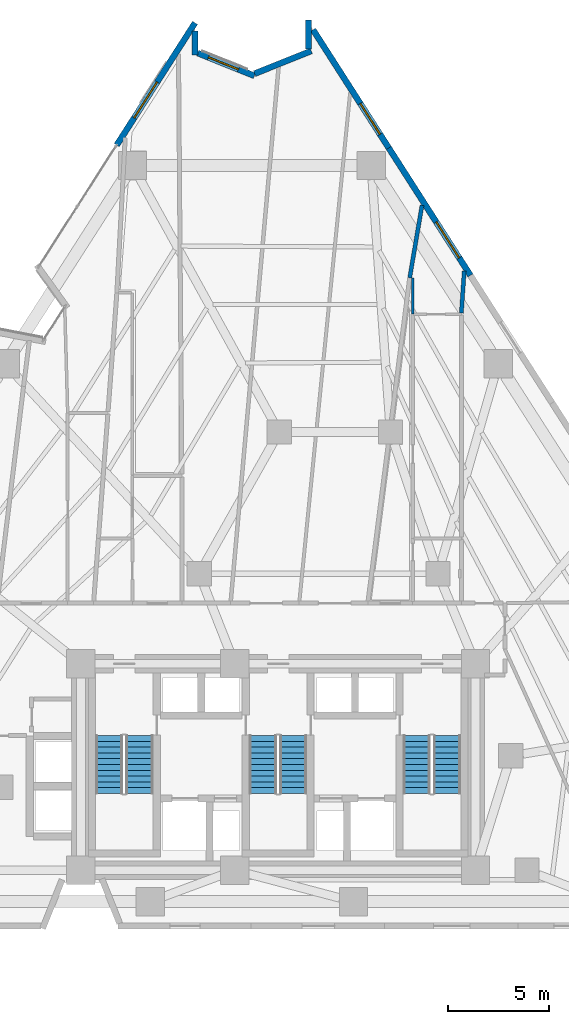
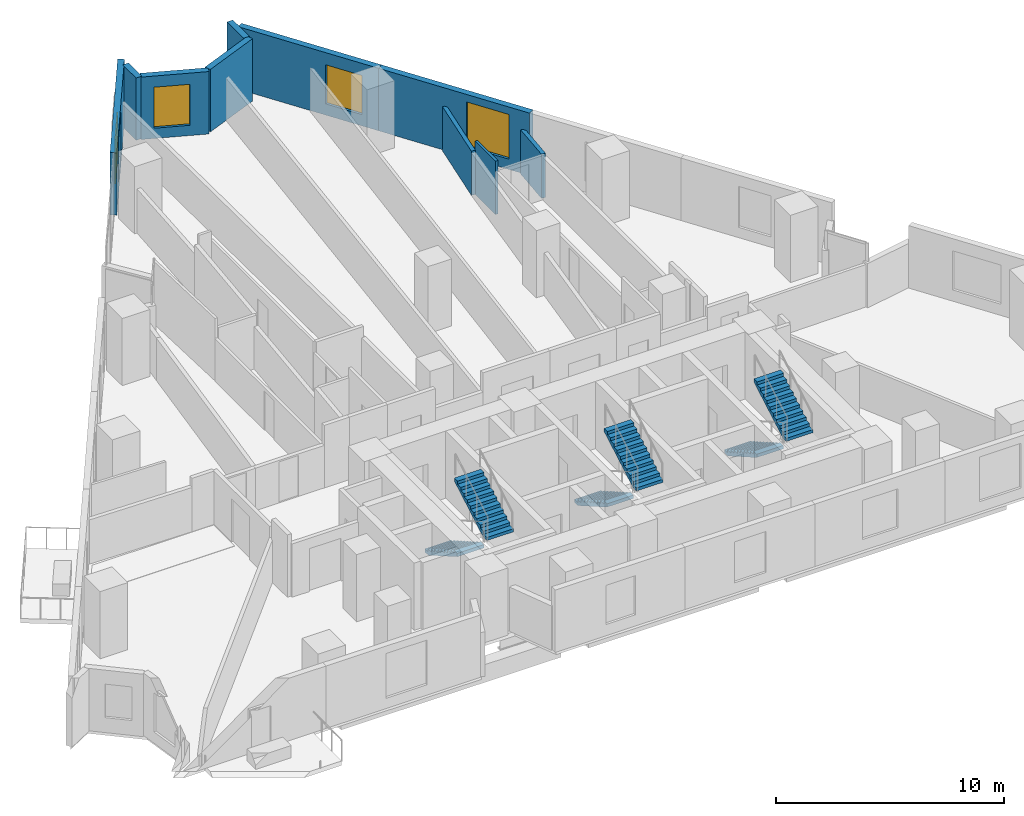
# One storey, part 10 of 14: 10 walls, 6 stair flights, 4 windows, 4 openings, 3 elements without a shape of their own.
"""IFC4 building model written with IfcOpenShell, lengths in metres."""

import ifcopenshell
import ifcopenshell.guid

model = None  # the IFC model being written
_history = None  # IfcOwnerHistory: only IFC2X3 demands one
_inside = {}  # id of a spatial element -> (the spatial element, [elements in it])
_under = {}  # id of a project, library or spatial element -> (it, [spatial elements below it])
_declared = {}  # id of a project -> (the project, [libraries it declares])
_typed = {}  # id of a type object -> (the type object, [elements of that type])
_made_of = {}  # id of a material, layer set ... -> (it, [elements and type objects made of it])


def new_model(schema):
    """Start an empty IFC model of exactly this schema.

    Asked for "IFC4X3", IfcOpenShell would pick the latest addendum, in which some entities
    have other attributes; the version numbers below select the first issue.
    IFC2X3 requires an IfcOwnerHistory on every rooted entity: one is made here for all.
    """
    global model, _history
    if schema == "IFC4X3":
        model = ifcopenshell.file(schema_version=(4, 3, 0, 0))
    else:
        model = ifcopenshell.file(schema=schema)
    _inside.clear()
    _under.clear()
    _declared.clear()
    _typed.clear()
    _made_of.clear()
    _history = None
    if model.schema == "IFC2X3":
        org = make("IfcOrganization", Name="unknown")
        user = make(
            "IfcPersonAndOrganization",
            ThePerson=make("IfcPerson", FamilyName="unknown"),
            TheOrganization=org,
        )
        app = make(
            "IfcApplication",
            ApplicationDeveloper=org,
            Version="unknown",
            ApplicationFullName="unknown",
            ApplicationIdentifier="unknown",
        )
        _history = make(
            "IfcOwnerHistory",
            OwningUser=user,
            OwningApplication=app,
            ChangeAction="ADDED",
            CreationDate=0,
        )
    return model


def make(cls, **values):
    """One entity of the class cls with the attributes given. An attribute that is None is left unset."""
    return model.create_entity(
        cls, **{name: value for name, value in values.items() if value is not None}
    )


def rooted(cls, **values):
    """An entity with a GlobalId (a new one), such as an element, a storey or a relation."""
    return make(cls, GlobalId=ifcopenshell.guid.new(), OwnerHistory=_history, **values)


def si_unit(unit_type, name, prefix=None):
    """IfcSIUnit, for example si_unit("LENGTHUNIT", "METRE", prefix="MILLI")."""
    return make("IfcSIUnit", UnitType=unit_type, Prefix=prefix, Name=name)


def assignment(units):
    """IfcUnitAssignment: the units of a project."""
    return None if units is None else make("IfcUnitAssignment", Units=units)


def point(xyz):
    """IfcCartesianPoint."""
    return None if xyz is None else make("IfcCartesianPoint", Coordinates=xyz)


def direction(xyz):
    """IfcDirection."""
    return None if xyz is None else make("IfcDirection", DirectionRatios=xyz)


def frame(location, z_axis=None, x_axis=None):
    """IfcAxis2Placement3D, a coordinate frame: its origin and axes. An axis left out is left unset."""
    return make(
        "IfcAxis2Placement3D",
        Location=point(location),
        Axis=direction(z_axis),
        RefDirection=direction(x_axis),
    )


def frame_2d(location, x_axis=None):
    """IfcAxis2Placement2D, a coordinate frame in the plane: its origin and x axis."""
    return make(
        "IfcAxis2Placement2D", Location=point(location), RefDirection=direction(x_axis)
    )


def origin():
    """The frame at (0, 0, 0) with its axes left unset."""
    return frame((0.0, 0.0, 0.0))


def place(relative_to, where):
    """IfcLocalPlacement: puts the frame where relative to a parent placement (None: the world)."""
    return make(
        "IfcLocalPlacement", PlacementRelTo=relative_to, RelativePlacement=where
    )


def context(
    kind, dimensions, precision=None, world=None, true_north=None, identifier=None
):
    """IfcGeometricRepresentationContext, for example the 3D "Model" context."""
    return make(
        "IfcGeometricRepresentationContext",
        ContextIdentifier=identifier,
        ContextType=kind,
        CoordinateSpaceDimension=dimensions,
        Precision=precision,
        WorldCoordinateSystem=world,
        TrueNorth=true_north,
    )


def subcontext(parent, identifier, kind, view, scale=None):
    """IfcGeometricRepresentationSubContext, for example "Body" below "Model"."""
    return make(
        "IfcGeometricRepresentationSubContext",
        ContextIdentifier=identifier,
        ContextType=kind,
        ParentContext=parent,
        TargetScale=scale,
        TargetView=view,
    )


def project(units=None, contexts=None):
    """IfcProject with its units and contexts."""
    return rooted(
        "IfcProject",
        Name="project",
        RepresentationContexts=contexts,
        UnitsInContext=assignment(units),
    )


def spatial(cls, under=None, at=None, **own):
    """A site, building, storey or space (cls), placed at a placement, below another one or the project."""
    s = rooted(cls, ObjectPlacement=at, **own)
    if under is not None:
        _under.setdefault(under.id(), (under, []))[1].append(s)
    return s


def polyline(points):
    """IfcPolyline through the points."""
    return make("IfcPolyline", Points=[point(p) for p in points])


def profile(cls, at=None, kind="AREA", **sizes):
    """A parametric profile (cls). Its sizes go by their IFC names, for example OverallWidth=200.0."""
    return make(cls, ProfileType=kind, Position=at, **sizes)


def rectangle(**sizes):
    """IfcRectangleProfileDef."""
    return profile("IfcRectangleProfileDef", **sizes)


def outline(outer, holes=None, kind="AREA"):
    """IfcArbitraryClosedProfileDef: a profile drawn as a closed curve; with holes, ...WithVoids."""
    if holes is None:
        return make("IfcArbitraryClosedProfileDef", ProfileType=kind, OuterCurve=outer)
    return make(
        "IfcArbitraryProfileDefWithVoids",
        ProfileType=kind,
        OuterCurve=outer,
        InnerCurves=holes,
    )


def extrude(swept, where, along, depth):
    """IfcExtrudedAreaSolid: the profile swept, set in the frame where, extruded along a direction by depth."""
    return make(
        "IfcExtrudedAreaSolid",
        SweptArea=swept,
        Position=where,
        ExtrudedDirection=direction(along),
        Depth=depth,
    )


def shape(context_of_items, identifier, shape_type, items):
    """IfcShapeRepresentation: the items that make up one representation, for example the "Body"."""
    return make(
        "IfcShapeRepresentation",
        ContextOfItems=context_of_items,
        RepresentationIdentifier=identifier,
        RepresentationType=shape_type,
        Items=items,
    )


def material(Name=None, Category=None):
    """IfcMaterial."""
    return make("IfcMaterial", Name=Name, Category=Category)


def layer(
    of_material, thickness, ventilated=None, Name=None, Category=None, Priority=None
):
    """IfcMaterialLayer: one layer of a wall or slab, of a material (None: an air gap)."""
    return make(
        "IfcMaterialLayer",
        Material=of_material,
        LayerThickness=thickness,
        IsVentilated=ventilated,
        Name=Name,
        Category=Category,
        Priority=Priority,
    )


def layer_set(layers, Name=None):
    """IfcMaterialLayerSet."""
    return make("IfcMaterialLayerSet", MaterialLayers=layers, LayerSetName=Name)


def made_of(thing, what):
    """Note that an element or type object is made of a material, layer set ...; save() writes the relation."""
    if what is not None:
        _made_of.setdefault(what.id(), (what, []))[1].append(thing)
    return thing


def type_object(cls, material=None, **own):
    """A type object (cls), such as IfcWallType, which elements share."""
    return made_of(rooted(cls, **own), material)


def element(
    cls,
    number,
    at=None,
    inside=None,
    cuts=None,
    type_object=None,
    material=None,
    context=None,
    identifier="Body",
    shape_type=None,
    held_by="IfcProductDefinitionShape",
    body=None,
    shapes=None,
    **own,
):
    """One element of the class cls, such as IfcWall. Its Tag is "e" and its number.

    at: its placement. inside: the storey or other place that contains it. cuts: it is an
    opening in that element (IfcRelVoidsElement). A single representation is given by context,
    identifier, shape_type and body (its items); several are given by shapes. held_by: the class
    of the entity that holds the representations. save() writes the other relations.
    """
    e = rooted(cls, Tag="e%d" % number, ObjectPlacement=at, **own)
    if body is not None:
        shapes = [shape(context, identifier, shape_type, body)]
    if shapes is not None:
        e.Representation = make(held_by, Representations=shapes)
    if inside is not None:
        _inside.setdefault(inside.id(), (inside, []))[1].append(e)
    if cuts is not None:
        rooted(
            "IfcRelVoidsElement", RelatingBuildingElement=cuts, RelatedOpeningElement=e
        )
    if type_object is not None:
        _typed.setdefault(type_object.id(), (type_object, []))[1].append(e)
    return made_of(e, material)


def fill(opening, filler):
    """IfcRelFillsElement: the door or window that sits in an opening."""
    return rooted(
        "IfcRelFillsElement",
        RelatingOpeningElement=opening,
        RelatedBuildingElement=filler,
    )


def aggregate(whole, parts):
    """IfcRelAggregates: a whole, such as a stair, and the parts it consists of."""
    return rooted("IfcRelAggregates", RelatingObject=whole, RelatedObjects=parts)


def save(model, path):
    """Write the relations noted so far, then the file.

    IfcRelAggregates (storeys below a building ...), IfcRelContainedInSpatialStructure (elements
    in a storey), IfcRelDefinesByType, IfcRelAssociatesMaterial and IfcRelDeclares: one each for
    every whole, place, type object, material and project.
    """
    for whole, parts in _under.values():
        aggregate(whole, parts)
    for where, things in _inside.values():
        rooted(
            "IfcRelContainedInSpatialStructure",
            RelatedElements=things,
            RelatingStructure=where,
        )
    for kind, things in _typed.values():
        rooted("IfcRelDefinesByType", RelatedObjects=things, RelatingType=kind)
    for what, things in _made_of.values():
        rooted("IfcRelAssociatesMaterial", RelatedObjects=things, RelatingMaterial=what)
    for by, libraries in _declared.values():
        rooted("IfcRelDeclares", RelatingContext=by, RelatedDefinitions=libraries)
    model.write(path)


model = new_model("IFC4")

# Units and contexts
model_context = context("Model", 3, precision=1e-05, world=origin(), true_north=direction((0.0, 1.0)))
body_context = subcontext(model_context, "Body", "Model", "MODEL_VIEW")
ifc_project = project(units=[si_unit("LENGTHUNIT", "METRE"), si_unit("AREAUNIT", "SQUARE_METRE"), si_unit("VOLUMEUNIT", "CUBIC_METRE"), si_unit("PLANEANGLEUNIT", "RADIAN"), si_unit("MASSUNIT", "GRAM", prefix="KILO")], contexts=[model_context])

# Site, building, storey
site_placement = place(None, origin())
site = spatial("IfcSite", under=ifc_project, at=site_placement, CompositionType="ELEMENT")
building_placement = place(site_placement, origin())
building = spatial("IfcBuilding", under=site, at=building_placement, Name="Almagre Mirador Tower", CompositionType="ELEMENT")
storey_placement = place(building_placement, frame((0.0, 0.0, 46.199951171875)))
storey = spatial("IfcBuildingStorey", under=building, at=storey_placement, Name="L10", CompositionType="ELEMENT", Elevation=46.199951171875)

# Wall, opening, window
ifc_material_1 = material(Name="Precast concrete C50/60", Category="concrete")
ifc_layer_1 = layer(ifc_material_1, 0.300048828125)
ifc_layer_set_1 = layer_set([ifc_layer_1], Name="Precast concrete C50/60")
wall_type_1 = type_object("IfcWallType", Name="WAL-EXT-300", PredefinedType="SOLIDWALL", material=ifc_layer_set_1)
wall_1_placement = place(storey_placement, frame((29.322509765625, 40.380615234375, 0.0), z_axis=(0.0, 0.0, 1.0), x_axis=(0.539549864139, 0.841953647244, 0.0)))
wall_1 = element("IfcWall", 1, at=wall_1_placement, inside=storey, type_object=wall_type_1, Name="L10 expressed almagre precast frame wall 03", PredefinedType="SOLIDWALL", context=body_context, shape_type="SweptSolid", body=[
    extrude(rectangle(XDim=7.175537109375, YDim=0.300048828125, at=frame_2d((3.587890625, 0.0))), origin(), (0.0, 0.0, 1.0), 3.35009765625),
])
opening_1_placement = place(wall_1_placement, frame((1.60009765625, 0.0, 0.550048828125)))
opening_1 = element("IfcOpeningElement", 2, at=opening_1_placement, cuts=wall_1, Name="Opening WN-05", PredefinedType="OPENING", context=body_context, shape_type="SweptSolid", body=[
    extrude(rectangle(XDim=2.10009765625, YDim=2.39990234375, at=frame_2d((1.050048828125, 1.199951171875))), frame((0.0, 0.159902, 0.0), z_axis=(0.0, -1.0, 0.0), x_axis=(1.0, 0.0, 0.0)), (0.0, 0.0, 1.0), 0.320049),
])
ifc_material_2 = material(Name="Dark solar-control laminated hurricane glass", Category="glass")
window_type_1 = type_object("IfcWindowType", Name="WIN-2100X2400", PartitioningType="DOUBLE_PANEL_VERTICAL", PredefinedType="WINDOW", material=ifc_material_2)
window_1_placement = place(opening_1_placement, origin())
window_1 = element("IfcWindow", 3, at=window_1_placement, inside=storey, type_object=window_type_1, Name="L10 recessed hurricane window L10-UJ-SL1", OverallHeight=2.39990234375, OverallWidth=2.10009765625, PartitioningType="SINGLE_PANEL", PredefinedType="WINDOW", context=body_context, shape_type="SweptSolid", body=[
    extrude(rectangle(XDim=2.10009765625, YDim=2.39990234375, at=frame_2d((1.050048828125, 1.199951171875))), frame((0.0, 0.030029296875, 0.0), z_axis=(0.0, -1.0, 0.0), x_axis=(1.0, 0.0, 0.0)), (0.0, 0.0, 1.0), 0.06005859375),
])
fill(opening_1, window_1)

# Wall
wall_2_placement = place(storey_placement, frame((33.194091796875, 46.011962890625, 0.0), z_axis=(0.0, 0.0, 1.0), x_axis=(0.0, -1.0, 0.0)))
element("IfcWall", 4, at=wall_2_placement, inside=storey, type_object=wall_type_1, Name="L10 expressed almagre precast frame wall 04", PredefinedType="SOLIDWALL", context=body_context, shape_type="SweptSolid", body=[
    extrude(rectangle(XDim=1.169921875, YDim=0.300048828125, at=frame_2d((0.5849609375, 0.0))), origin(), (0.0, 0.0, 1.0), 3.35009765625),
])

# Wall, opening, window
wall_3_placement = place(storey_placement, frame((33.323974609375, 44.9296875, 0.0), z_axis=(0.0, 0.0, 1.0), x_axis=(0.928091921944, -0.372351157407, 0.0)))
wall_3 = element("IfcWall", 5, at=wall_3_placement, inside=storey, type_object=wall_type_1, Name="L10 expressed almagre precast frame wall 05", PredefinedType="SOLIDWALL", context=body_context, shape_type="SweptSolid", body=[
    extrude(rectangle(XDim=3.023193359375, YDim=0.300048828125, at=frame_2d((1.51171875, 0.0))), origin(), (0.0, 0.0, 1.0), 3.35009765625),
])
opening_2_placement = place(wall_3_placement, frame((0.570068359375, 0.0, 0.550048828125)))
opening_2 = element("IfcOpeningElement", 6, at=opening_2_placement, cuts=wall_3, Name="Opening WN-06", PredefinedType="OPENING", context=body_context, shape_type="SweptSolid", body=[
    extrude(rectangle(XDim=1.60009765625, YDim=2.199951171875, at=frame_2d((0.800048828125, 1.10009765625))), frame((0.0, 0.159902, 0.0), z_axis=(0.0, -1.0, 0.0), x_axis=(1.0, 0.0, 0.0)), (0.0, 0.0, 1.0), 0.320049),
])
ifc_material_3 = material(Name="Dark solar-control laminated hurricane glass", Category="glass")
window_type_2 = type_object("IfcWindowType", Name="WIN-1600X2200", PartitioningType="DOUBLE_PANEL_VERTICAL", PredefinedType="WINDOW", material=ifc_material_3)
window_2_placement = place(opening_2_placement, origin())
window_2 = element("IfcWindow", 7, at=window_2_placement, inside=storey, type_object=window_type_2, Name="L10 recessed hurricane window L10-RST-K", OverallHeight=2.199951171875, OverallWidth=1.60009765625, PartitioningType="SINGLE_PANEL", PredefinedType="WINDOW", context=body_context, shape_type="SweptSolid", body=[
    extrude(rectangle(XDim=1.60009765625, YDim=2.199951171875, at=frame_2d((0.800048828125, 1.10009765625))), frame((0.0, 0.030029296875, 0.0), z_axis=(0.0, -1.0, 0.0), x_axis=(1.0, 0.0, 0.0)), (0.0, 0.0, 1.0), 0.06005859375),
])
fill(opening_2, window_2)

# Walls
wall_4_placement = place(storey_placement, frame((36.13916015625, 43.911865234375, 0.0), z_axis=(0.0, 0.0, 1.0), x_axis=(0.928057043086, 0.372438081804, 0.0)))
element("IfcWall", 8, at=wall_4_placement, inside=storey, type_object=wall_type_1, Name="L10 expressed almagre precast frame wall 06", PredefinedType="SOLIDWALL", context=body_context, shape_type="SweptSolid", body=[
    extrude(rectangle(XDim=3.013427734375, YDim=0.300048828125, at=frame_2d((1.5068359375, 0.0))), origin(), (0.0, 0.0, 1.0), 3.35009765625),
])
wall_5_placement = place(storey_placement, frame((38.805908203125, 45.1220703125, 0.0), z_axis=(0.0, 0.0, 1.0), x_axis=(0.0, 1.0, 0.0)))
element("IfcWall", 9, at=wall_5_placement, inside=storey, type_object=wall_type_1, Name="L10 expressed almagre precast frame wall 07", PredefinedType="SOLIDWALL", context=body_context, shape_type="SweptSolid", body=[
    extrude(rectangle(XDim=1.43994140625, YDim=0.300048828125, at=frame_2d((0.719970703125, 0.0))), origin(), (0.0, 0.0, 1.0), 3.35009765625),
])

# Wall, opening, window
wall_6_placement = place(storey_placement, frame((39.0244140625, 46.0810546875, 0.0), z_axis=(0.0, 0.0, 1.0), x_axis=(0.53955097723, -0.84195293394, 0.0)))
wall_6 = element("IfcWall", 10, at=wall_6_placement, inside=storey, type_object=wall_type_1, Name="L10 expressed almagre precast frame wall 08", PredefinedType="SOLIDWALL", context=body_context, shape_type="SweptSolid", body=[
    extrude(rectangle(XDim=6.936767578125, YDim=0.300048828125, at=frame_2d((3.46826171875, 0.0))), origin(), (0.0, 0.0, 1.0), 3.35009765625),
])
opening_3_placement = place(wall_6_placement, frame((4.330078125, 0.0, 0.60009765625)))
opening_3 = element("IfcOpeningElement", 11, at=opening_3_placement, cuts=wall_6, Name="Opening WN-01", PredefinedType="OPENING", context=body_context, shape_type="SweptSolid", body=[
    extrude(rectangle(XDim=1.800048828125, YDim=2.10009765625, at=frame_2d((0.89990234375, 1.050048828125))), frame((0.0, 0.159902, 0.0), z_axis=(0.0, -1.0, 0.0), x_axis=(1.0, 0.0, 0.0)), (0.0, 0.0, 1.0), 0.320049),
])
ifc_material_4 = material(Name="Dark solar-control laminated hurricane glass", Category="glass")
window_type_3 = type_object("IfcWindowType", Name="WIN-1800X2100", PartitioningType="DOUBLE_PANEL_VERTICAL", PredefinedType="WINDOW", material=ifc_material_4)
window_3_placement = place(opening_3_placement, origin())
window_3 = element("IfcWindow", 12, at=window_3_placement, inside=storey, type_object=window_type_3, Name="L10 recessed hurricane window L10-RST-M", OverallHeight=2.10009765625, OverallWidth=1.800048828125, PartitioningType="SINGLE_PANEL", PredefinedType="WINDOW", context=body_context, shape_type="SweptSolid", body=[
    extrude(rectangle(XDim=1.800048828125, YDim=2.10009765625, at=frame_2d((0.89990234375, 1.050048828125))), frame((0.0, 0.030029296875, 0.0), z_axis=(0.0, -1.0, 0.0), x_axis=(1.0, 0.0, 0.0)), (0.0, 0.0, 1.0), 0.06005859375),
])
fill(opening_3, window_3)

wall_7_placement = place(storey_placement, frame((42.76708984375, 40.24072265625, 0.0), z_axis=(0.0, 0.0, 1.0), x_axis=(0.539510136354, -0.841979104712, 0.0)))
wall_7 = element("IfcWall", 13, at=wall_7_placement, inside=storey, type_object=wall_type_1, Name="L10 expressed almagre precast frame wall 09", PredefinedType="SOLIDWALL", context=body_context, shape_type="SweptSolid", body=[
    extrude(rectangle(XDim=7.4814453125, YDim=0.300048828125, at=frame_2d((3.74072265625, 0.0))), origin(), (0.0, 0.0, 1.0), 3.35009765625),
])
opening_4_placement = place(wall_7_placement, frame((4.35009765625, 0.0, 0.550048828125)))
opening_4 = element("IfcOpeningElement", 14, at=opening_4_placement, cuts=wall_7, Name="Opening WN-05", PredefinedType="OPENING", context=body_context, shape_type="SweptSolid", body=[
    extrude(rectangle(XDim=2.10009765625, YDim=2.39990234375, at=frame_2d((1.050048828125, 1.199951171875))), frame((0.0, 0.159902, 0.0), z_axis=(0.0, -1.0, 0.0), x_axis=(1.0, 0.0, 0.0)), (0.0, 0.0, 1.0), 0.320049),
])
window_4_placement = place(opening_4_placement, origin())
window_4 = element("IfcWindow", 15, at=window_4_placement, inside=storey, type_object=window_type_1, Name="L10 recessed hurricane window L10-UF-KT", OverallHeight=2.39990234375, OverallWidth=2.10009765625, PartitioningType="SINGLE_PANEL", PredefinedType="WINDOW", context=body_context, shape_type="SweptSolid", body=[
    extrude(rectangle(XDim=2.10009765625, YDim=2.39990234375, at=frame_2d((1.050048828125, 1.199951171875))), frame((0.0, 0.030029296875, 0.0), z_axis=(0.0, -1.0, 0.0), x_axis=(1.0, 0.0, 0.0)), (0.0, 0.0, 1.0), 0.06005859375),
])
fill(opening_4, window_4)

# Walls
ifc_material_5 = material(Name="Gypsum acoustic stud partition", Category="other")
ifc_layer_2 = layer(ifc_material_5, 0.125)
ifc_layer_set_2 = layer_set([ifc_layer_2], Name="Gypsum acoustic stud partition")
wall_type_2 = type_object("IfcWallType", Name="WAL-PRT-125-UTL", PredefinedType="PARTITIONING", material=ifc_layer_set_2)
wall_8_placement = place(storey_placement, frame((43.949951171875, 32.030029296875, 0.0), z_axis=(0.0, 0.0, 1.0), x_axis=(0.0, 1.0, 0.0)))
element("IfcWall", 16, at=wall_8_placement, inside=storey, type_object=wall_type_2, Name="L10 interior partition 030", PredefinedType="PARTITIONING", context=body_context, shape_type="SweptSolid", body=[
    extrude(rectangle(XDim=1.7900390625, YDim=0.125, at=frame_2d((0.89501953125, 0.0))), origin(), (0.0, 0.0, 1.0), 2.860107421875),
])
ifc_material_6 = material(Name="Gypsum acoustic stud partition", Category="other")
ifc_layer_3 = layer(ifc_material_6, 0.199951171875)
ifc_layer_set_3 = layer_set([ifc_layer_3], Name="Gypsum acoustic stud partition")
wall_type_3 = type_object("IfcWallType", Name="WAL-PRT-200-EI60", PredefinedType="PARTITIONING", material=ifc_layer_set_3)
wall_9_placement = place(storey_placement, frame((46.352294921875, 32.077392578125, 0.0), z_axis=(0.0, 0.0, 1.0), x_axis=(0.068580805576, 0.997645564871, 0.0)))
element("IfcWall", 17, at=wall_9_placement, inside=storey, type_object=wall_type_3, Name="L10 interior partition 036", PredefinedType="PARTITIONING", context=body_context, shape_type="SweptSolid", body=[
    extrude(rectangle(XDim=2.08251953125, YDim=0.199951171875, at=frame_2d((1.041259765625, 0.0))), origin(), (0.0, 0.0, 1.0), 2.3701171875),
])
wall_10_placement = place(storey_placement, frame((44.408935546875, 37.409912109375, 0.0), z_axis=(0.0, 0.0, 1.0), x_axis=(-0.167225329542, -0.985918703119, 0.0)))
element("IfcWall", 18, at=wall_10_placement, inside=storey, type_object=wall_type_3, Name="L10 interior partition 037", PredefinedType="PARTITIONING", context=body_context, shape_type="SweptSolid", body=[
    extrude(rectangle(XDim=3.64111328125, YDim=0.199951171875, at=frame_2d((1.820556640625, 0.0))), origin(), (0.0, 0.0, 1.0), 2.3701171875),
])

# Stair, stair flights
ifc_material_7 = material(Name="Concrete C45/55", Category="concrete")
stair_type = type_object("IfcStairType", Name="STR-DL-3600", PredefinedType="HALF_TURN_STAIR", material=ifc_material_7)
stair_1_placement = place(storey_placement, origin())
stair_1 = element("IfcStair", 19, at=stair_1_placement, inside=storey, type_object=stair_type, Name="L10 Protected exit stair ST-1", PredefinedType="HALF_TURN_STAIR")
ifc_material_8 = material(Name="Concrete C45/55", Category="concrete")
stair_flight_type = type_object("IfcStairFlightType", Name="FLT-DL-3600", PredefinedType="STRAIGHT", material=ifc_material_8)
stair_flight_1_placement = place(storey_placement, frame((28.949951171875, 11.199951171875, 0.0), z_axis=(0.0, 0.0, 1.0), x_axis=(0.0, -1.0, 0.0)))
stair_flight_1 = element("IfcStairFlight", 20, at=stair_flight_1_placement, type_object=stair_flight_type, Name="ST-1 flight 1", NumberOfRisers=11, NumberOfTreads=10, PredefinedType="STRAIGHT", RiserHeight=0.163636364, TreadLength=0.285, context=body_context, shape_type="SweptSolid", body=[
    extrude(outline(polyline([(0.0, 0.0), (0.0, 0.16357421875), (0.284912109375, 0.16357421875), (0.284912109375, 0.327392578125), (0.570068359375, 0.327392578125), (0.570068359375, 0.490966796875), (0.85498046875, 0.490966796875), (0.85498046875, 0.654541015625), (1.139892578125, 0.654541015625), (1.139892578125, 0.818115234375), (1.425048828125, 0.818115234375), (1.425048828125, 0.98193359375), (1.7099609375, 0.98193359375), (1.7099609375, 1.1455078125), (1.9951171875, 1.1455078125), (1.9951171875, 1.30908203125), (2.280029296875, 1.30908203125), (2.280029296875, 1.47265625), (2.56494140625, 1.47265625), (2.56494140625, 1.636474609375), (2.85009765625, 1.636474609375), (2.85009765625, 1.800048828125), (2.85009765625, 1.463623046875), (0.301025390625, 0.0), (0.0, 0.0)])), frame((0.0, 0.675048828125, 0.0), z_axis=(0.0, -1.0, 0.0), x_axis=(1.0, 0.0, 0.0)), (0.0, 0.0, 1.0), 1.35009765625),
])
stair_flight_2_placement = place(storey_placement, frame((30.449951171875, 8.35009765625, 1.800048828125), z_axis=(0.0, 0.0, 1.0), x_axis=(0.0, 1.0, 0.0)))
stair_flight_2 = element("IfcStairFlight", 21, at=stair_flight_2_placement, type_object=stair_flight_type, Name="ST-1 flight 2", NumberOfRisers=11, NumberOfTreads=10, PredefinedType="STRAIGHT", RiserHeight=0.163636364, TreadLength=0.285, context=body_context, shape_type="SweptSolid", body=[
    extrude(outline(polyline([(0.0, 0.0), (0.0, 0.16357421875), (0.284912109375, 0.16357421875), (0.284912109375, 0.327392578125), (0.570068359375, 0.327392578125), (0.570068359375, 0.490966796875), (0.85498046875, 0.490966796875), (0.85498046875, 0.654541015625), (1.139892578125, 0.654541015625), (1.139892578125, 0.818115234375), (1.425048828125, 0.818115234375), (1.425048828125, 0.98193359375), (1.7099609375, 0.98193359375), (1.7099609375, 1.1455078125), (1.9951171875, 1.1455078125), (1.9951171875, 1.30908203125), (2.280029296875, 1.30908203125), (2.280029296875, 1.47265625), (2.56494140625, 1.47265625), (2.56494140625, 1.636474609375), (2.85009765625, 1.636474609375), (2.85009765625, 1.800048828125), (2.85009765625, 1.463623046875), (0.301025390625, 0.0), (0.0, 0.0)])), frame((0.0, 0.675048828125, 0.0), z_axis=(0.0, -1.0, 0.0), x_axis=(1.0, 0.0, 0.0)), (0.0, 0.0, 1.0), 1.35009765625),
])
aggregate(stair_1, [stair_flight_1, stair_flight_2])

stair_2_placement = place(storey_placement, origin())
stair_2 = element("IfcStair", 22, at=stair_2_placement, inside=storey, type_object=stair_type, Name="L10 Protected exit stair ST-2", PredefinedType="HALF_TURN_STAIR")
stair_flight_3_placement = place(storey_placement, frame((36.550048828125, 11.199951171875, 0.0), z_axis=(0.0, 0.0, 1.0), x_axis=(0.0, -1.0, 0.0)))
stair_flight_3 = element("IfcStairFlight", 23, at=stair_flight_3_placement, type_object=stair_flight_type, Name="ST-2 flight 1", NumberOfRisers=11, NumberOfTreads=10, PredefinedType="STRAIGHT", RiserHeight=0.163636364, TreadLength=0.285, context=body_context, shape_type="SweptSolid", body=[
    extrude(outline(polyline([(0.0, 0.0), (0.0, 0.16357421875), (0.284912109375, 0.16357421875), (0.284912109375, 0.327392578125), (0.570068359375, 0.327392578125), (0.570068359375, 0.490966796875), (0.85498046875, 0.490966796875), (0.85498046875, 0.654541015625), (1.139892578125, 0.654541015625), (1.139892578125, 0.818115234375), (1.425048828125, 0.818115234375), (1.425048828125, 0.98193359375), (1.7099609375, 0.98193359375), (1.7099609375, 1.1455078125), (1.9951171875, 1.1455078125), (1.9951171875, 1.30908203125), (2.280029296875, 1.30908203125), (2.280029296875, 1.47265625), (2.56494140625, 1.47265625), (2.56494140625, 1.636474609375), (2.85009765625, 1.636474609375), (2.85009765625, 1.800048828125), (2.85009765625, 1.463623046875), (0.301025390625, 0.0), (0.0, 0.0)])), frame((0.0, 0.675048828125, 0.0), z_axis=(0.0, -1.0, 0.0), x_axis=(1.0, 0.0, 0.0)), (0.0, 0.0, 1.0), 1.35009765625),
])
stair_flight_4_placement = place(storey_placement, frame((38.050048828125, 8.35009765625, 1.800048828125), z_axis=(0.0, 0.0, 1.0), x_axis=(0.0, 1.0, 0.0)))
stair_flight_4 = element("IfcStairFlight", 24, at=stair_flight_4_placement, type_object=stair_flight_type, Name="ST-2 flight 2", NumberOfRisers=11, NumberOfTreads=10, PredefinedType="STRAIGHT", RiserHeight=0.163636364, TreadLength=0.285, context=body_context, shape_type="SweptSolid", body=[
    extrude(outline(polyline([(0.0, 0.0), (0.0, 0.16357421875), (0.284912109375, 0.16357421875), (0.284912109375, 0.327392578125), (0.570068359375, 0.327392578125), (0.570068359375, 0.490966796875), (0.85498046875, 0.490966796875), (0.85498046875, 0.654541015625), (1.139892578125, 0.654541015625), (1.139892578125, 0.818115234375), (1.425048828125, 0.818115234375), (1.425048828125, 0.98193359375), (1.7099609375, 0.98193359375), (1.7099609375, 1.1455078125), (1.9951171875, 1.1455078125), (1.9951171875, 1.30908203125), (2.280029296875, 1.30908203125), (2.280029296875, 1.47265625), (2.56494140625, 1.47265625), (2.56494140625, 1.636474609375), (2.85009765625, 1.636474609375), (2.85009765625, 1.800048828125), (2.85009765625, 1.463623046875), (0.301025390625, 0.0), (0.0, 0.0)])), frame((0.0, 0.675048828125, 0.0), z_axis=(0.0, -1.0, 0.0), x_axis=(1.0, 0.0, 0.0)), (0.0, 0.0, 1.0), 1.35009765625),
])
aggregate(stair_2, [stair_flight_3, stair_flight_4])

stair_3_placement = place(storey_placement, origin())
stair_3 = element("IfcStair", 25, at=stair_3_placement, inside=storey, type_object=stair_type, Name="L10 Protected exit stair ST-3", PredefinedType="HALF_TURN_STAIR")
stair_flight_5_placement = place(storey_placement, frame((44.14990234375, 11.199951171875, 0.0), z_axis=(0.0, 0.0, 1.0), x_axis=(0.0, -1.0, 0.0)))
stair_flight_5 = element("IfcStairFlight", 26, at=stair_flight_5_placement, type_object=stair_flight_type, Name="ST-3 flight 1", NumberOfRisers=11, NumberOfTreads=10, PredefinedType="STRAIGHT", RiserHeight=0.163636364, TreadLength=0.285, context=body_context, shape_type="SweptSolid", body=[
    extrude(outline(polyline([(0.0, 0.0), (0.0, 0.16357421875), (0.284912109375, 0.16357421875), (0.284912109375, 0.327392578125), (0.570068359375, 0.327392578125), (0.570068359375, 0.490966796875), (0.85498046875, 0.490966796875), (0.85498046875, 0.654541015625), (1.139892578125, 0.654541015625), (1.139892578125, 0.818115234375), (1.425048828125, 0.818115234375), (1.425048828125, 0.98193359375), (1.7099609375, 0.98193359375), (1.7099609375, 1.1455078125), (1.9951171875, 1.1455078125), (1.9951171875, 1.30908203125), (2.280029296875, 1.30908203125), (2.280029296875, 1.47265625), (2.56494140625, 1.47265625), (2.56494140625, 1.636474609375), (2.85009765625, 1.636474609375), (2.85009765625, 1.800048828125), (2.85009765625, 1.463623046875), (0.301025390625, 0.0), (0.0, 0.0)])), frame((0.0, 0.675048828125, 0.0), z_axis=(0.0, -1.0, 0.0), x_axis=(1.0, 0.0, 0.0)), (0.0, 0.0, 1.0), 1.35009765625),
])
stair_flight_6_placement = place(storey_placement, frame((45.64990234375, 8.35009765625, 1.800048828125), z_axis=(0.0, 0.0, 1.0), x_axis=(0.0, 1.0, 0.0)))
stair_flight_6 = element("IfcStairFlight", 27, at=stair_flight_6_placement, type_object=stair_flight_type, Name="ST-3 flight 2", NumberOfRisers=11, NumberOfTreads=10, PredefinedType="STRAIGHT", RiserHeight=0.163636364, TreadLength=0.285, context=body_context, shape_type="SweptSolid", body=[
    extrude(outline(polyline([(0.0, 0.0), (0.0, 0.16357421875), (0.284912109375, 0.16357421875), (0.284912109375, 0.327392578125), (0.570068359375, 0.327392578125), (0.570068359375, 0.490966796875), (0.85498046875, 0.490966796875), (0.85498046875, 0.654541015625), (1.139892578125, 0.654541015625), (1.139892578125, 0.818115234375), (1.425048828125, 0.818115234375), (1.425048828125, 0.98193359375), (1.7099609375, 0.98193359375), (1.7099609375, 1.1455078125), (1.9951171875, 1.1455078125), (1.9951171875, 1.30908203125), (2.280029296875, 1.30908203125), (2.280029296875, 1.47265625), (2.56494140625, 1.47265625), (2.56494140625, 1.636474609375), (2.85009765625, 1.636474609375), (2.85009765625, 1.800048828125), (2.85009765625, 1.463623046875), (0.301025390625, 0.0), (0.0, 0.0)])), frame((0.0, 0.675048828125, 0.0), z_axis=(0.0, -1.0, 0.0), x_axis=(1.0, 0.0, 0.0)), (0.0, 0.0, 1.0), 1.35009765625),
])
aggregate(stair_3, [stair_flight_5, stair_flight_6])

save(model, "model.ifc")
